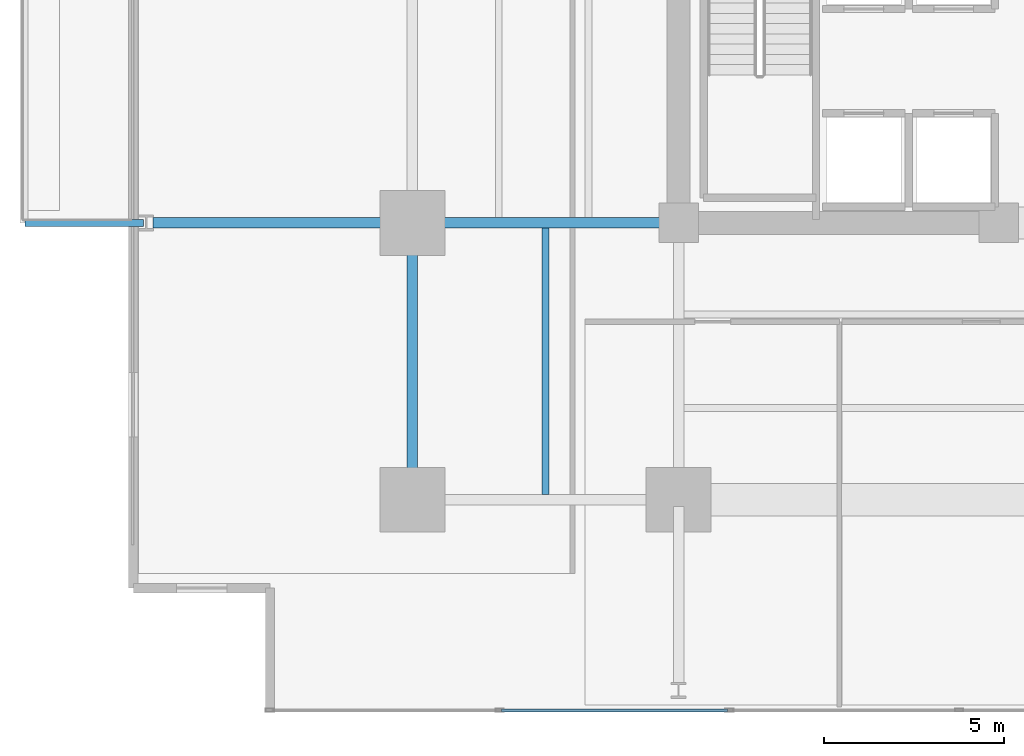
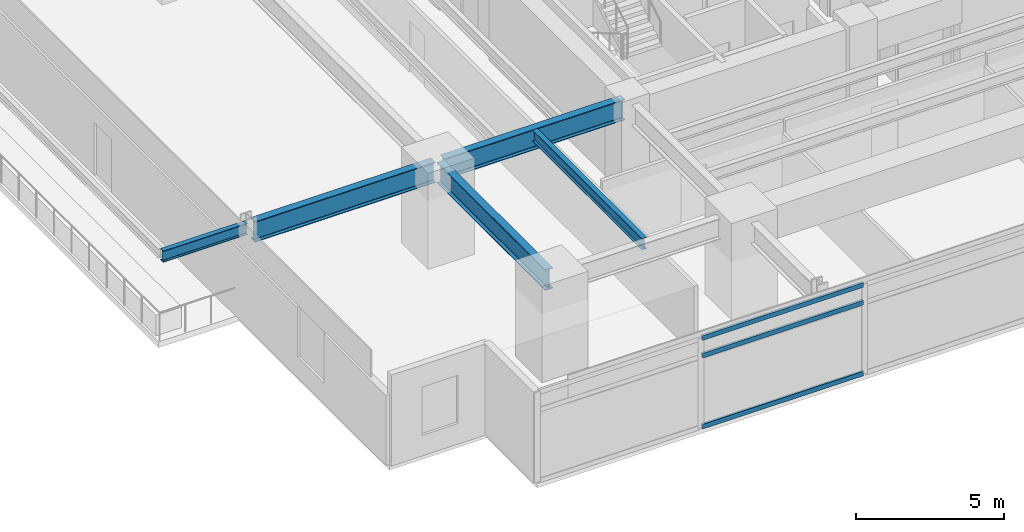
# One storey, part 3 of 20: 5 beams, 3 members, 1 element without a shape of its own.
"""IFC4 building model written with IfcOpenShell, lengths in metres."""

from ifc_helpers import new_model, si_unit, direction, frame, origin, origin_2d, place, context, subcontext, project, spatial, hollow_rectangle, i_section, extrude, material, material_profile, profile_set, type_object, element, aggregate, save


model = new_model("IFC4")

# Units and contexts
model_context = context("Model", 3, precision=1e-05, world=origin(), true_north=direction((0.0, 1.0)))
body_context = subcontext(model_context, "Body", "Model", "MODEL_VIEW")
ifc_project = project(units=[si_unit("LENGTHUNIT", "METRE"), si_unit("AREAUNIT", "SQUARE_METRE"), si_unit("VOLUMEUNIT", "CUBIC_METRE"), si_unit("PLANEANGLEUNIT", "RADIAN"), si_unit("MASSUNIT", "GRAM", prefix="KILO")], contexts=[model_context])

# Site, building, storey
site_placement = place(None, origin())
site = spatial("IfcSite", under=ifc_project, at=site_placement, CompositionType="ELEMENT")
building_placement = place(site_placement, origin())
building = spatial("IfcBuilding", under=site, at=building_placement, Name="Kovane Verandah Tower", CompositionType="ELEMENT")
storey_placement = place(building_placement, frame((0.0, 0.0, 75.60009765625)))
storey = spatial("IfcBuildingStorey", under=building, at=storey_placement, Name="L17", CompositionType="ELEMENT", Elevation=75.60009765625)

# Beams
ifc_material_1 = material(Name="Steel S355", Category="steel")
ifc_material_profile_1 = material_profile(ifc_material_1, i_section(OverallWidth=0.293701171875, OverallDepth=0.850830078125, WebThickness=0.01611328125, FlangeThickness=0.02685546875, FilletRadius=0.017822265625, at=origin_2d()), Name="UB838x292x226")
ifc_profile_set_1 = profile_set([ifc_material_profile_1], Name="Steel S355")
beam_type_1 = type_object("IfcBeamType", Name="BM-UB838x226", PredefinedType="BEAM", material=ifc_profile_set_1)
beam_1_placement = place(storey_placement, frame((21.60009765625, 10.97998046875, 3.33447265625), z_axis=(0.0, 1.0, 0.0), x_axis=(-1.0, 0.0, 0.0)))
element("IfcBeam", 1, at=beam_1_placement, inside=storey, type_object=beam_type_1, Name="L17 Primary Tower Girder G-RW1", PredefinedType="BEAM", context=body_context, shape_type="SweptSolid", body=[
    extrude(i_section(OverallWidth=0.293701171875, OverallDepth=0.850830078125, WebThickness=0.01611328125, FlangeThickness=0.02685546875, FilletRadius=0.017822265625, at=origin_2d()), origin(), (0.0, 0.0, 1.0), 7.340087890625),
])
for number, where, z_axis, x_axis, name in (
    (2, (28.820068359375, 18.5, 3.33447265625), (-1.0, 0.0, 0.0), (0.0, -1.0, 0.0), "L17 Primary Tower Girder G-W1"),
    (3, (21.419921875, 18.5, 3.33447265625), (-1.0, 0.0, 0.0), (0.0, -1.0, 0.0), "L17 Primary Tower Girder G-VW1"),
):
    element("IfcBeam", number, at=place(storey_placement, frame(where, z_axis=z_axis, x_axis=x_axis)), inside=storey, type_object=beam_type_1, Name=name, PredefinedType="BEAM", context=body_context, shape_type="SweptSolid", body=[
        extrude(i_section(OverallWidth=0.293701171875, OverallDepth=0.850830078125, WebThickness=0.01611328125, FlangeThickness=0.02685546875, FilletRadius=0.017822265625, at=origin_2d()), origin(), (0.0, 0.0, 1.0), 7.0400390625),
    ])

# Curtain wall, members
ifc_material_2 = material(Name="Champagne Anodised Aluminium Frame with Low-E Clear Laminated Glass", Category="aluminium")
curtain_wall_type = type_object("IfcCurtainWallType", Name="CW-SYS-02-LOW", PredefinedType="NOTDEFINED", material=ifc_material_2)
curtain_wall_placement = place(storey_placement, origin())
curtain_wall = element("IfcCurtainWall", 4, at=curtain_wall_placement, inside=storey, type_object=curtain_wall_type, Name="L17 S Unitised Curtain Wall", PredefinedType="NOTDEFINED")
ifc_material_3 = material(Name="Champagne Anodised Aluminium 6063-T6", Category="aluminium")
ifc_material_profile_2 = material_profile(ifc_material_3, hollow_rectangle(XDim=0.0849609375, YDim=0.18994140625, WallThickness=0.00390625, at=origin_2d()), Name="AL85x190x4")
ifc_profile_set_2 = profile_set([ifc_material_profile_2], Name="Champagne Anodised Aluminium 6063-T6")
member_type = type_object("IfcMemberType", Name="CW-TRN-85x190", PredefinedType="USERDEFINED", material=ifc_profile_set_2)
member_1_placement = place(storey_placement, frame((24.076904296875, 4.9462890625, 0.0498046875), z_axis=(1.0, 0.0, 0.0), x_axis=(0.0, 1.0, 0.0)))
member_1 = element("IfcMember", 5, at=member_1_placement, type_object=member_type, Name="L17 S Unitised Curtain Wall Transom TB Bay 2", ObjectType="TRANSOM", PredefinedType="USERDEFINED", context=body_context, shape_type="SweptSolid", body=[
    extrude(hollow_rectangle(XDim=0.0849609375, YDim=0.18994140625, WallThickness=0.00390625, at=origin_2d()), origin(), (0.0, 0.0, 1.0), 6.289306640625),
])
member_2_placement = place(storey_placement, frame((24.076904296875, 4.9462890625, 2.97998046875), z_axis=(1.0, 0.0, 0.0), x_axis=(0.0, 1.0, 0.0)))
member_2 = element("IfcMember", 6, at=member_2_placement, type_object=member_type, Name="L17 S Unitised Curtain Wall Transom TM Bay 2", ObjectType="TRANSOM", PredefinedType="USERDEFINED", context=body_context, shape_type="SweptSolid", body=[
    extrude(hollow_rectangle(XDim=0.0849609375, YDim=0.18994140625, WallThickness=0.00390625, at=origin_2d()), origin(), (0.0, 0.0, 1.0), 6.289306640625),
])
member_3_placement = place(storey_placement, frame((24.076904296875, 4.9462890625, 3.7099609375), z_axis=(1.0, 0.0, 0.0), x_axis=(0.0, 1.0, 0.0)))
member_3 = element("IfcMember", 7, at=member_3_placement, type_object=member_type, Name="L17 S Unitised Curtain Wall Transom TT Bay 2", ObjectType="TRANSOM", PredefinedType="USERDEFINED", context=body_context, shape_type="SweptSolid", body=[
    extrude(hollow_rectangle(XDim=0.0849609375, YDim=0.18994140625, WallThickness=0.00390625, at=origin_2d()), origin(), (0.0, 0.0, 1.0), 6.289306640625),
])
aggregate(curtain_wall, [member_1, member_2, member_3])

# Beams
ifc_material_profile_3 = material_profile(ifc_material_1, i_section(OverallWidth=0.19287109375, OverallDepth=0.46728515625, WebThickness=0.011474609375, FlangeThickness=0.01953125, FilletRadius=0.01025390625, at=origin_2d()), Name="UB457x191x98")
ifc_profile_set_3 = profile_set([ifc_material_profile_3], Name="Steel S355")
beam_type_2 = type_object("IfcBeamType", Name="JST-UB457x98", PredefinedType="JOIST", material=ifc_profile_set_3)
beam_2_placement = place(storey_placement, frame((25.300048828125, 10.94482421875, 3.5263671875), z_axis=(0.0, 1.0, 0.0), x_axis=(-1.0, 0.0, 0.0)))
element("IfcBeam", 8, at=beam_2_placement, inside=storey, type_object=beam_type_2, Name="L17 Secondary Composite Joist J-SW1", PredefinedType="JOIST", context=body_context, shape_type="SweptSolid", body=[
    extrude(i_section(OverallWidth=0.19287109375, OverallDepth=0.46728515625, WebThickness=0.011474609375, FlangeThickness=0.01953125, FilletRadius=0.01025390625, at=origin_2d()), origin(), (0.0, 0.0, 1.0), 7.41015625),
])
beam_3_placement = place(storey_placement, frame((14.1201171875, 18.5, 3.5263671875), z_axis=(-1.0, 0.0, 0.0), x_axis=(0.0, -1.0, 0.0)))
element("IfcBeam", 9, at=beam_3_placement, inside=storey, type_object=beam_type_2, Name="L17 West Planter Girder 1", PredefinedType="JOIST", context=body_context, shape_type="SweptSolid", body=[
    extrude(i_section(OverallWidth=0.19287109375, OverallDepth=0.46728515625, WebThickness=0.011474609375, FlangeThickness=0.01953125, FilletRadius=0.01025390625, at=origin_2d()), origin(), (0.0, 0.0, 1.0), 3.298828125),
])

save(model, "model.ifc")
